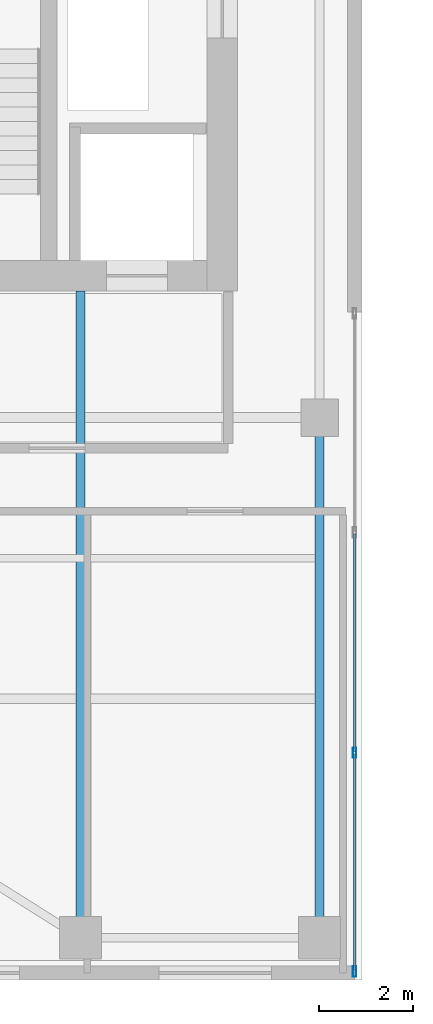
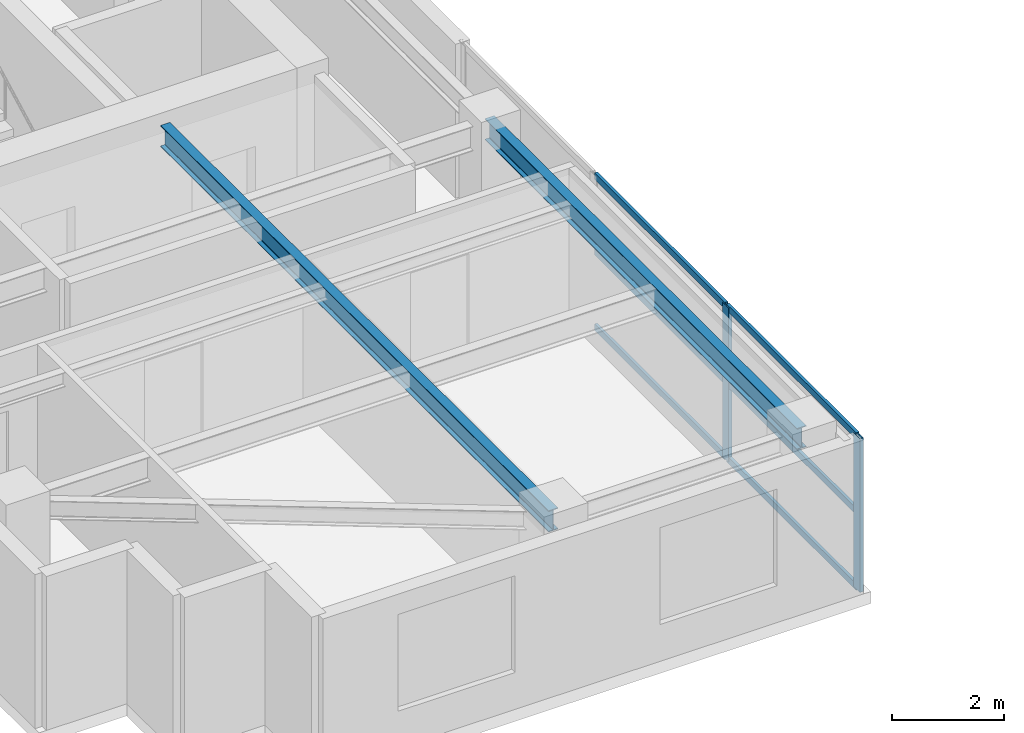
# One storey, part 2 of 22: 8 members, 2 beams, 1 element without a shape of its own.
"""IFC4 building model written with IfcOpenShell, lengths in metres."""

import ifcopenshell
import ifcopenshell.guid

model = None  # the IFC model being written
_history = None  # IfcOwnerHistory: only IFC2X3 demands one
_inside = {}  # id of a spatial element -> (the spatial element, [elements in it])
_under = {}  # id of a project, library or spatial element -> (it, [spatial elements below it])
_declared = {}  # id of a project -> (the project, [libraries it declares])
_typed = {}  # id of a type object -> (the type object, [elements of that type])
_made_of = {}  # id of a material, layer set ... -> (it, [elements and type objects made of it])


def new_model(schema):
    """Start an empty IFC model of exactly this schema.

    Asked for "IFC4X3", IfcOpenShell would pick the latest addendum, in which some entities
    have other attributes; the version numbers below select the first issue.
    IFC2X3 requires an IfcOwnerHistory on every rooted entity: one is made here for all.
    """
    global model, _history
    if schema == "IFC4X3":
        model = ifcopenshell.file(schema_version=(4, 3, 0, 0))
    else:
        model = ifcopenshell.file(schema=schema)
    _inside.clear()
    _under.clear()
    _declared.clear()
    _typed.clear()
    _made_of.clear()
    _history = None
    if model.schema == "IFC2X3":
        org = make("IfcOrganization", Name="unknown")
        user = make(
            "IfcPersonAndOrganization",
            ThePerson=make("IfcPerson", FamilyName="unknown"),
            TheOrganization=org,
        )
        app = make(
            "IfcApplication",
            ApplicationDeveloper=org,
            Version="unknown",
            ApplicationFullName="unknown",
            ApplicationIdentifier="unknown",
        )
        _history = make(
            "IfcOwnerHistory",
            OwningUser=user,
            OwningApplication=app,
            ChangeAction="ADDED",
            CreationDate=0,
        )
    return model


def make(cls, **values):
    """One entity of the class cls with the attributes given. An attribute that is None is left unset."""
    return model.create_entity(
        cls, **{name: value for name, value in values.items() if value is not None}
    )


def rooted(cls, **values):
    """An entity with a GlobalId (a new one), such as an element, a storey or a relation."""
    return make(cls, GlobalId=ifcopenshell.guid.new(), OwnerHistory=_history, **values)


def si_unit(unit_type, name, prefix=None):
    """IfcSIUnit, for example si_unit("LENGTHUNIT", "METRE", prefix="MILLI")."""
    return make("IfcSIUnit", UnitType=unit_type, Prefix=prefix, Name=name)


def assignment(units):
    """IfcUnitAssignment: the units of a project."""
    return None if units is None else make("IfcUnitAssignment", Units=units)


def point(xyz):
    """IfcCartesianPoint."""
    return None if xyz is None else make("IfcCartesianPoint", Coordinates=xyz)


def direction(xyz):
    """IfcDirection."""
    return None if xyz is None else make("IfcDirection", DirectionRatios=xyz)


def frame(location, z_axis=None, x_axis=None):
    """IfcAxis2Placement3D, a coordinate frame: its origin and axes. An axis left out is left unset."""
    return make(
        "IfcAxis2Placement3D",
        Location=point(location),
        Axis=direction(z_axis),
        RefDirection=direction(x_axis),
    )


def frame_2d(location, x_axis=None):
    """IfcAxis2Placement2D, a coordinate frame in the plane: its origin and x axis."""
    return make(
        "IfcAxis2Placement2D", Location=point(location), RefDirection=direction(x_axis)
    )


def origin():
    """The frame at (0, 0, 0) with its axes left unset."""
    return frame((0.0, 0.0, 0.0))


def origin_2d():
    """The frame at (0, 0) in the plane with its x axis left unset."""
    return frame_2d((0.0, 0.0))


def place(relative_to, where):
    """IfcLocalPlacement: puts the frame where relative to a parent placement (None: the world)."""
    return make(
        "IfcLocalPlacement", PlacementRelTo=relative_to, RelativePlacement=where
    )


def context(
    kind, dimensions, precision=None, world=None, true_north=None, identifier=None
):
    """IfcGeometricRepresentationContext, for example the 3D "Model" context."""
    return make(
        "IfcGeometricRepresentationContext",
        ContextIdentifier=identifier,
        ContextType=kind,
        CoordinateSpaceDimension=dimensions,
        Precision=precision,
        WorldCoordinateSystem=world,
        TrueNorth=true_north,
    )


def subcontext(parent, identifier, kind, view, scale=None):
    """IfcGeometricRepresentationSubContext, for example "Body" below "Model"."""
    return make(
        "IfcGeometricRepresentationSubContext",
        ContextIdentifier=identifier,
        ContextType=kind,
        ParentContext=parent,
        TargetScale=scale,
        TargetView=view,
    )


def project(units=None, contexts=None):
    """IfcProject with its units and contexts."""
    return rooted(
        "IfcProject",
        Name="project",
        RepresentationContexts=contexts,
        UnitsInContext=assignment(units),
    )


def spatial(cls, under=None, at=None, **own):
    """A site, building, storey or space (cls), placed at a placement, below another one or the project."""
    s = rooted(cls, ObjectPlacement=at, **own)
    if under is not None:
        _under.setdefault(under.id(), (under, []))[1].append(s)
    return s


def profile(cls, at=None, kind="AREA", **sizes):
    """A parametric profile (cls). Its sizes go by their IFC names, for example OverallWidth=200.0."""
    return make(cls, ProfileType=kind, Position=at, **sizes)


def hollow_rectangle(**sizes):
    """IfcRectangleHollowProfileDef."""
    return profile("IfcRectangleHollowProfileDef", **sizes)


def i_section(**sizes):
    """IfcIShapeProfileDef."""
    return profile("IfcIShapeProfileDef", **sizes)


def extrude(swept, where, along, depth):
    """IfcExtrudedAreaSolid: the profile swept, set in the frame where, extruded along a direction by depth."""
    return make(
        "IfcExtrudedAreaSolid",
        SweptArea=swept,
        Position=where,
        ExtrudedDirection=direction(along),
        Depth=depth,
    )


def shape(context_of_items, identifier, shape_type, items):
    """IfcShapeRepresentation: the items that make up one representation, for example the "Body"."""
    return make(
        "IfcShapeRepresentation",
        ContextOfItems=context_of_items,
        RepresentationIdentifier=identifier,
        RepresentationType=shape_type,
        Items=items,
    )


def source(mapping_origin, context_of_items, identifier, shape_type, items):
    """IfcRepresentationMap: a shape defined once, which mapped items show again and again."""
    return make(
        "IfcRepresentationMap",
        MappingOrigin=mapping_origin,
        MappedRepresentation=shape(context_of_items, identifier, shape_type, items),
    )


def transform(
    local_origin,
    x_axis=None,
    y_axis=None,
    z_axis=None,
    scale=None,
    scale2=None,
    scale3=None,
    uniform=True,
):
    """IfcCartesianTransformationOperator3D, or its non-uniform kind. x_axis, y_axis, z_axis: its Axis1, 2, 3."""
    if uniform:
        return make(
            "IfcCartesianTransformationOperator3D",
            Axis1=direction(x_axis),
            Axis2=direction(y_axis),
            LocalOrigin=point(local_origin),
            Scale=scale,
            Axis3=direction(z_axis),
        )
    return make(
        "IfcCartesianTransformationOperator3DnonUniform",
        Axis1=direction(x_axis),
        Axis2=direction(y_axis),
        LocalOrigin=point(local_origin),
        Scale=scale,
        Axis3=direction(z_axis),
        Scale2=scale2,
        Scale3=scale3,
    )


def mapped(mapping_source, mapping_target):
    """IfcMappedItem: shows the shape of a source again, moved by a transform."""
    return make(
        "IfcMappedItem", MappingSource=mapping_source, MappingTarget=mapping_target
    )


def material(Name=None, Category=None):
    """IfcMaterial."""
    return make("IfcMaterial", Name=Name, Category=Category)


def layer(
    of_material, thickness, ventilated=None, Name=None, Category=None, Priority=None
):
    """IfcMaterialLayer: one layer of a wall or slab, of a material (None: an air gap)."""
    return make(
        "IfcMaterialLayer",
        Material=of_material,
        LayerThickness=thickness,
        IsVentilated=ventilated,
        Name=Name,
        Category=Category,
        Priority=Priority,
    )


def layer_set(layers, Name=None):
    """IfcMaterialLayerSet."""
    return make("IfcMaterialLayerSet", MaterialLayers=layers, LayerSetName=Name)


def material_profile(
    of_material, cross_section, Name=None, Category=None, Priority=None
):
    """IfcMaterialProfile: a cross section and its material."""
    return make(
        "IfcMaterialProfile",
        Name=Name,
        Material=of_material,
        Profile=cross_section,
        Priority=Priority,
        Category=Category,
    )


def profile_set(profiles, Name=None, composite=None):
    """IfcMaterialProfileSet."""
    return make(
        "IfcMaterialProfileSet",
        Name=Name,
        MaterialProfiles=profiles,
        CompositeProfile=composite,
    )


def made_of(thing, what):
    """Note that an element or type object is made of a material, layer set ...; save() writes the relation."""
    if what is not None:
        _made_of.setdefault(what.id(), (what, []))[1].append(thing)
    return thing


def type_object(cls, material=None, **own):
    """A type object (cls), such as IfcWallType, which elements share."""
    return made_of(rooted(cls, **own), material)


def element(
    cls,
    number,
    at=None,
    inside=None,
    cuts=None,
    type_object=None,
    material=None,
    context=None,
    identifier="Body",
    shape_type=None,
    held_by="IfcProductDefinitionShape",
    body=None,
    shapes=None,
    **own,
):
    """One element of the class cls, such as IfcWall. Its Tag is "e" and its number.

    at: its placement. inside: the storey or other place that contains it. cuts: it is an
    opening in that element (IfcRelVoidsElement). A single representation is given by context,
    identifier, shape_type and body (its items); several are given by shapes. held_by: the class
    of the entity that holds the representations. save() writes the other relations.
    """
    e = rooted(cls, Tag="e%d" % number, ObjectPlacement=at, **own)
    if body is not None:
        shapes = [shape(context, identifier, shape_type, body)]
    if shapes is not None:
        e.Representation = make(held_by, Representations=shapes)
    if inside is not None:
        _inside.setdefault(inside.id(), (inside, []))[1].append(e)
    if cuts is not None:
        rooted(
            "IfcRelVoidsElement", RelatingBuildingElement=cuts, RelatedOpeningElement=e
        )
    if type_object is not None:
        _typed.setdefault(type_object.id(), (type_object, []))[1].append(e)
    return made_of(e, material)


def aggregate(whole, parts):
    """IfcRelAggregates: a whole, such as a stair, and the parts it consists of."""
    return rooted("IfcRelAggregates", RelatingObject=whole, RelatedObjects=parts)


def save(model, path):
    """Write the relations noted so far, then the file.

    IfcRelAggregates (storeys below a building ...), IfcRelContainedInSpatialStructure (elements
    in a storey), IfcRelDefinesByType, IfcRelAssociatesMaterial and IfcRelDeclares: one each for
    every whole, place, type object, material and project.
    """
    for whole, parts in _under.values():
        aggregate(whole, parts)
    for where, things in _inside.values():
        rooted(
            "IfcRelContainedInSpatialStructure",
            RelatedElements=things,
            RelatingStructure=where,
        )
    for kind, things in _typed.values():
        rooted("IfcRelDefinesByType", RelatedObjects=things, RelatingType=kind)
    for what, things in _made_of.values():
        rooted("IfcRelAssociatesMaterial", RelatedObjects=things, RelatingMaterial=what)
    for by, libraries in _declared.values():
        rooted("IfcRelDeclares", RelatingContext=by, RelatedDefinitions=libraries)
    model.write(path)


model = new_model("IFC4")

# Units and contexts
model_context = context("Model", 3, precision=1e-05, world=origin(), true_north=direction((0.0, 1.0)))
body_context = subcontext(model_context, "Body", "Model", "MODEL_VIEW")
ifc_project = project(units=[si_unit("LENGTHUNIT", "METRE"), si_unit("AREAUNIT", "SQUARE_METRE"), si_unit("VOLUMEUNIT", "CUBIC_METRE"), si_unit("PLANEANGLEUNIT", "RADIAN"), si_unit("MASSUNIT", "GRAM", prefix="KILO")], contexts=[model_context])

# Site, building, storey
site_placement = place(None, origin())
site = spatial("IfcSite", under=ifc_project, at=site_placement, CompositionType="ELEMENT")
building_placement = place(site_placement, origin())
building = spatial("IfcBuilding", under=site, at=building_placement, Name="Khoralis Quay Care Tower", CompositionType="ELEMENT")
storey_placement = place(building_placement, frame((0.0, 0.0, 184.5)))
storey = spatial("IfcBuildingStorey", under=building, at=storey_placement, Name="L48", CompositionType="ELEMENT", Elevation=184.5)

# Beams
ifc_material_1 = material(Name="Steel S355", Category="steel")
ifc_material_profile_1 = material_profile(ifc_material_1, i_section(OverallWidth=0.19189453125, OverallDepth=0.462890625, WebThickness=0.010498046875, FlangeThickness=0.017578125, FilletRadius=0.014892578125, at=origin_2d()), Name="Steel S355")
ifc_profile_set_1 = profile_set([ifc_material_profile_1], Name="Steel S355")
beam_type = type_object("IfcBeamType", Name="BM-W460X89", PredefinedType="BEAM", material=ifc_profile_set_1)
shared_shape_1 = source(origin(), body_context, "Body", "SweptSolid", [
    extrude(i_section(OverallWidth=0.19189453125, OverallDepth=0.462890625, WebThickness=0.010498046875, FlangeThickness=0.017578125, FilletRadius=0.014892578125, at=origin_2d()), origin(), (0.0, 0.0, 1.0), 13.802001953125),
])
beam_1_placement = place(storey_placement, frame((12.0, 0.89990234375, 3.1083984375), z_axis=(0.0, 1.0, 0.0), x_axis=(-1.0, 0.0, 0.0)))
element("IfcBeam", 1, at=beam_1_placement, inside=storey, type_object=beam_type, Name="BM-TGYS-L48-120", PredefinedType="BEAM", context=body_context, shape_type="MappedRepresentation", body=[
    mapped(shared_shape_1, transform((0.0, 0.0, 0.0), scale=1.0)),
])
shared_shape_2 = source(origin(), body_context, "Body", "SweptSolid", [
    extrude(i_section(OverallWidth=0.19189453125, OverallDepth=0.462890625, WebThickness=0.010498046875, FlangeThickness=0.017578125, FilletRadius=0.014892578125, at=origin_2d()), origin(), (0.0, 0.0, 1.0), 11.10009765625),
])
beam_2_placement = place(storey_placement, frame((17.10009765625, 0.89990234375, 3.1083984375), z_axis=(0.0, 1.0, 0.0), x_axis=(-1.0, 0.0, 0.0)))
element("IfcBeam", 2, at=beam_2_placement, inside=storey, type_object=beam_type, Name="BM-TGYS-L48-171", PredefinedType="BEAM", context=body_context, shape_type="MappedRepresentation", body=[
    mapped(shared_shape_2, transform((0.0, 0.0, 0.0), scale=1.0)),
])

# Curtain wall, members
ifc_material_2 = material(Name="Pale anodised aluminium", Category="aluminium")
ifc_layer = layer(ifc_material_2, 0.18994140625)
ifc_layer_set = layer_set([ifc_layer], Name="Pale anodised aluminium")
curtain_wall_type = type_object("IfcCurtainWallType", Name="CW-SYS-PORTAL", PredefinedType="NOTDEFINED", material=ifc_layer_set)
curtain_wall_placement = place(storey_placement, origin())
curtain_wall = element("IfcCurtainWall", 3, at=curtain_wall_placement, inside=storey, type_object=curtain_wall_type, Name="L48 Unitised Curtain Wall CW-VP-L48-P1-S", PredefinedType="NOTDEFINED")
ifc_material_profile_2 = material_profile(ifc_material_2, hollow_rectangle(XDim=0.074951171875, YDim=0.219970703125, WallThickness=0.00390625, at=origin_2d()), Name="Pale anodised aluminium")
ifc_profile_set_2 = profile_set([ifc_material_profile_2], Name="Pale anodised aluminium")
member_type_1 = type_object("IfcMemberType", Name="CW-MUL-220", PredefinedType="MULLION", material=ifc_profile_set_2)
shared_shape_3 = source(origin(), body_context, "Body", "SweptSolid", [
    extrude(hollow_rectangle(XDim=0.074951171875, YDim=0.219970703125, WallThickness=0.00390625, at=origin_2d()), origin(), (0.0, 0.0, 1.0), 3.340087890625),
])
member_1_placement = place(storey_placement, frame((17.85009765625, 0.179931640625, 0.0), z_axis=(0.0, 0.0, 1.0), x_axis=(-1.0, 0.0, 0.0)))
member_1 = element("IfcMember", 4, at=member_1_placement, type_object=member_type_1, Name="CW4 mullion 1", PredefinedType="MULLION", context=body_context, shape_type="MappedRepresentation", body=[
    mapped(shared_shape_3, transform((0.0, 0.0, 0.0), scale=1.0)),
])
member_2_placement = place(storey_placement, frame((17.85009765625, 4.85009765625, 0.0), z_axis=(0.0, 0.0, 1.0), x_axis=(-1.0, 0.0, 0.0)))
member_2 = element("IfcMember", 5, at=member_2_placement, type_object=member_type_1, Name="CW4 mullion 2", PredefinedType="MULLION", context=body_context, shape_type="MappedRepresentation", body=[
    mapped(shared_shape_3, transform((0.0, 0.0, 0.0), scale=1.0)),
])
ifc_material_profile_3 = material_profile(ifc_material_2, hollow_rectangle(XDim=0.06005859375, YDim=0.139892578125, WallThickness=0.00390625, at=origin_2d()), Name="Pale anodised aluminium")
ifc_profile_set_3 = profile_set([ifc_material_profile_3], Name="Pale anodised aluminium")
member_type_2 = type_object("IfcMemberType", Name="CW-TRN-140", PredefinedType="USERDEFINED", material=ifc_profile_set_3)
shared_shape_4 = source(origin(), body_context, "Body", "SweptSolid", [
    extrude(hollow_rectangle(XDim=0.06005859375, YDim=0.139892578125, WallThickness=0.00390625, at=origin_2d()), origin(), (0.0, 0.0, 1.0), 4.610107421875),
])
member_3_placement = place(storey_placement, frame((17.85009765625, 0.2099609375, 0.030029296875), z_axis=(0.0, 1.0, 0.0), x_axis=(-1.0, 0.0, 0.0)))
member_3 = element("IfcMember", 6, at=member_3_placement, type_object=member_type_2, Name="CW4 transom 1.1", ObjectType="TRANSOM", PredefinedType="USERDEFINED", context=body_context, shape_type="MappedRepresentation", body=[
    mapped(shared_shape_4, transform((0.0, 0.0, 0.0), scale=1.0)),
])
member_4_placement = place(storey_placement, frame((17.85009765625, 0.2099609375, 1.669921875), z_axis=(0.0, 1.0, 0.0), x_axis=(-1.0, 0.0, 0.0)))
member_4 = element("IfcMember", 7, at=member_4_placement, type_object=member_type_2, Name="CW4 transom 1.2", ObjectType="TRANSOM", PredefinedType="USERDEFINED", context=body_context, shape_type="MappedRepresentation", body=[
    mapped(shared_shape_4, transform((0.0, 0.0, 0.0), scale=1.0)),
])
member_5_placement = place(storey_placement, frame((17.85009765625, 0.2099609375, 3.31005859375), z_axis=(0.0, 1.0, 0.0), x_axis=(-1.0, 0.0, 0.0)))
member_5 = element("IfcMember", 8, at=member_5_placement, type_object=member_type_2, Name="CW4 transom 1.3", ObjectType="TRANSOM", PredefinedType="USERDEFINED", context=body_context, shape_type="MappedRepresentation", body=[
    mapped(shared_shape_4, transform((0.0, 0.0, 0.0), scale=1.0)),
])
shared_shape_5 = source(origin(), body_context, "Body", "SweptSolid", [
    extrude(hollow_rectangle(XDim=0.06005859375, YDim=0.139892578125, WallThickness=0.00390625, at=origin_2d()), origin(), (0.0, 0.0, 1.0), 4.64013671875),
])
member_6_placement = place(storey_placement, frame((17.85009765625, 4.8798828125, 0.030029296875), z_axis=(0.0, 1.0, 0.0), x_axis=(-1.0, 0.0, 0.0)))
member_6 = element("IfcMember", 9, at=member_6_placement, type_object=member_type_2, Name="CW4 transom 2.1", ObjectType="TRANSOM", PredefinedType="USERDEFINED", context=body_context, shape_type="MappedRepresentation", body=[
    mapped(shared_shape_5, transform((0.0, 0.0, 0.0), scale=1.0)),
])
member_7_placement = place(storey_placement, frame((17.85009765625, 4.8798828125, 1.669921875), z_axis=(0.0, 1.0, 0.0), x_axis=(-1.0, 0.0, 0.0)))
member_7 = element("IfcMember", 10, at=member_7_placement, type_object=member_type_2, Name="CW4 transom 2.2", ObjectType="TRANSOM", PredefinedType="USERDEFINED", context=body_context, shape_type="MappedRepresentation", body=[
    mapped(shared_shape_5, transform((0.0, 0.0, 0.0), scale=1.0)),
])
member_8_placement = place(storey_placement, frame((17.85009765625, 4.8798828125, 3.31005859375), z_axis=(0.0, 1.0, 0.0), x_axis=(-1.0, 0.0, 0.0)))
member_8 = element("IfcMember", 11, at=member_8_placement, type_object=member_type_2, Name="CW4 transom 2.3", ObjectType="TRANSOM", PredefinedType="USERDEFINED", context=body_context, shape_type="MappedRepresentation", body=[
    mapped(shared_shape_5, transform((0.0, 0.0, 0.0), scale=1.0)),
])
aggregate(curtain_wall, [member_1, member_2, member_3, member_4, member_5, member_6, member_7, member_8])

save(model, "model.ifc")
